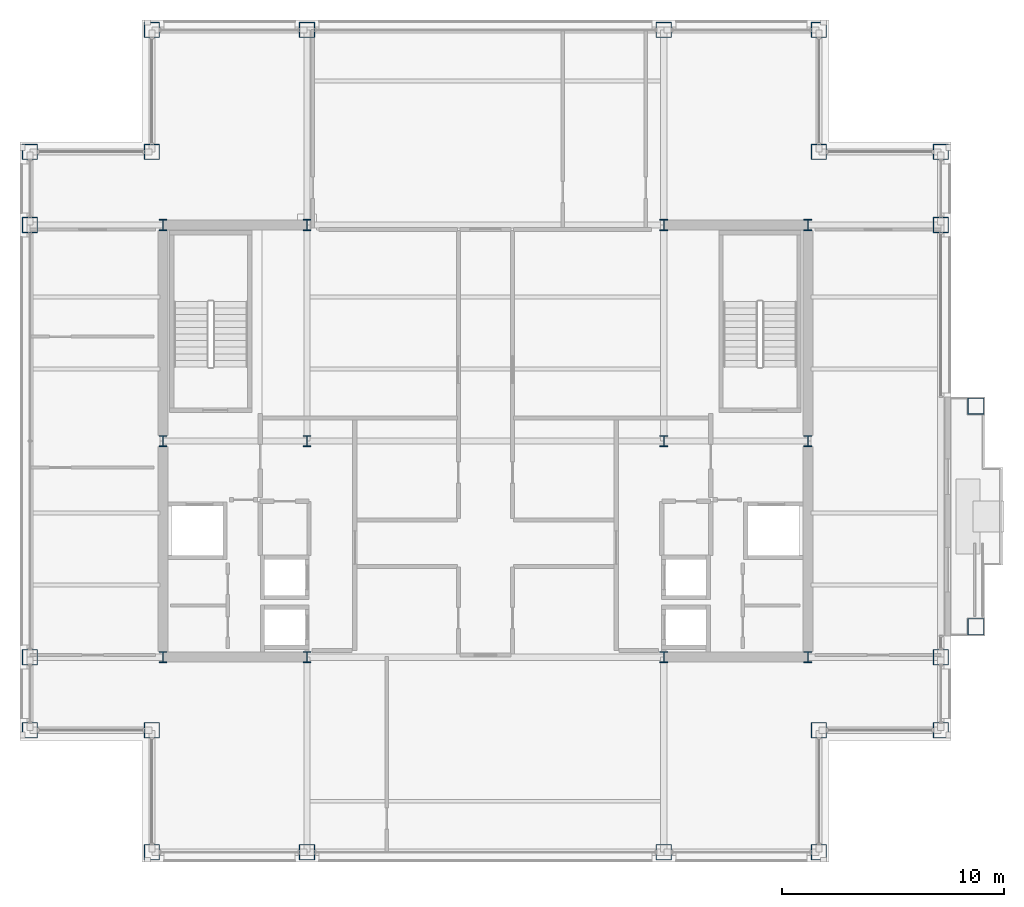
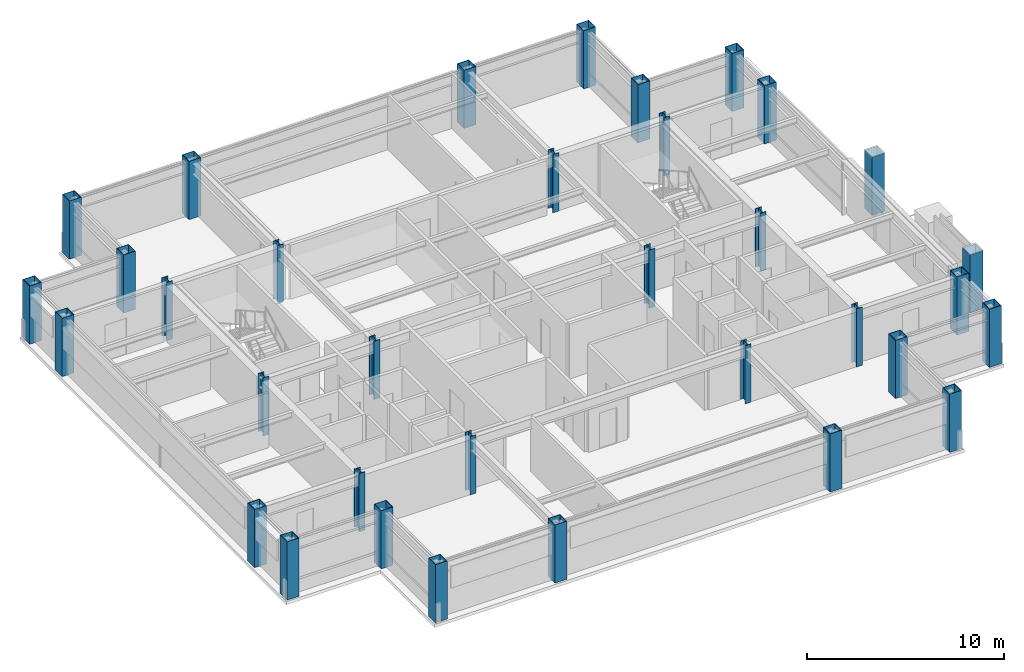
# One storey, part 1 of 28: 34 columns.
"""IFC4 building model written with IfcOpenShell, lengths in metres."""

from ifc_helpers import new_model, si_unit, direction, frame, origin, origin_2d, place, context, subcontext, project, spatial, hollow_rectangle, i_section, extrude, material, material_profile, profile_set, type_object, element, save


model = new_model("IFC4")

# Units and contexts
model_context = context("Model", 3, precision=1e-05, world=origin(), true_north=direction((0.0, 1.0)))
body_context = subcontext(model_context, "Body", "Model", "MODEL_VIEW")
ifc_project = project(units=[si_unit("LENGTHUNIT", "METRE"), si_unit("AREAUNIT", "SQUARE_METRE"), si_unit("VOLUMEUNIT", "CUBIC_METRE"), si_unit("PLANEANGLEUNIT", "RADIAN"), si_unit("MASSUNIT", "GRAM", prefix="KILO")], contexts=[model_context])

# Site, building, storey
site_placement = place(None, origin())
site = spatial("IfcSite", under=ifc_project, at=site_placement, CompositionType="ELEMENT")
building_placement = place(site_placement, origin())
building = spatial("IfcBuilding", under=site, at=building_placement, Name="Brelmoor Portico Tower", CompositionType="ELEMENT")
storey_placement = place(building_placement, frame((0.0, 0.0, 191.10009765625)))
storey = spatial("IfcBuildingStorey", under=building, at=storey_placement, Name="L50", CompositionType="ELEMENT", Elevation=191.10009765625)

# Columns
ifc_material = material(Name="Steel Q355B", Category="steel")
ifc_material_profile_1 = material_profile(ifc_material, hollow_rectangle(XDim=0.699951171875, YDim=0.699951171875, WallThickness=0.030029296875, at=origin_2d()), Name="BOX 700x700x30")
ifc_profile_set_1 = profile_set([ifc_material_profile_1], Name="Steel Q355B")
column_type_1 = type_object("IfcColumnType", Name="COL-MEGA-700", PredefinedType="COLUMN", material=ifc_profile_set_1)
for number, where, z_axis, x_axis, name in (
    (1, (-15.050048828125, -18.550048828125, 0.0), (0.0, 0.0, 1.0), (1.0, 0.0, 0.0), "L50 Perimeter Mega-Column PS01"),
    (2, (-8.050048828125, -18.550048828125, 0.0), (0.0, 0.0, 1.0), (1.0, 0.0, 0.0), "L50 Perimeter Mega-Column PS02"),
    (3, (8.050048828125, -18.550048828125, 0.0), (0.0, 0.0, 1.0), (1.0, 0.0, 0.0), "L50 Perimeter Mega-Column PS03"),
    (4, (15.050048828125, -18.550048828125, 0.0), (0.0, 0.0, 1.0), (1.0, 0.0, 0.0), "L50 Perimeter Mega-Column PS04"),
    (5, (-15.050048828125, 18.550048828125, 0.0), (0.0, 0.0, 1.0), (1.0, 0.0, 0.0), "L50 Perimeter Mega-Column PN01"),
    (6, (-8.050048828125, 18.550048828125, 0.0), (0.0, 0.0, 1.0), (1.0, 0.0, 0.0), "L50 Perimeter Mega-Column PN02"),
    (7, (8.050048828125, 18.550048828125, 0.0), (0.0, 0.0, 1.0), (1.0, 0.0, 0.0), "L50 Perimeter Mega-Column PN03"),
    (8, (15.050048828125, 18.550048828125, 0.0), (0.0, 0.0, 1.0), (1.0, 0.0, 0.0), "L50 Perimeter Mega-Column PN04"),
    (9, (-20.550048828125, -13.050048828125, 0.0), (0.0, 0.0, 1.0), (0.0, 1.0, 0.0), "L50 Perimeter Mega-Column PW01"),
    (10, (-20.550048828125, -9.75, 0.0), (0.0, 0.0, 1.0), (0.0, 1.0, 0.0), "L50 Perimeter Mega-Column PW02"),
    (11, (-20.550048828125, 9.75, 0.0), (0.0, 0.0, 1.0), (0.0, 1.0, 0.0), "L50 Perimeter Mega-Column PW03"),
    (12, (-20.550048828125, 13.050048828125, 0.0), (0.0, 0.0, 1.0), (0.0, 1.0, 0.0), "L50 Perimeter Mega-Column PW04"),
    (13, (20.550048828125, -13.050048828125, 0.0), (0.0, 0.0, 1.0), (0.0, 1.0, 0.0), "L50 Perimeter Mega-Column PE01"),
    (14, (20.550048828125, -9.75, 0.0), (0.0, 0.0, 1.0), (0.0, 1.0, 0.0), "L50 Perimeter Mega-Column PE02"),
    (15, (20.550048828125, 9.75, 0.0), (0.0, 0.0, 1.0), (0.0, 1.0, 0.0), "L50 Perimeter Mega-Column PE03"),
    (16, (20.550048828125, 13.050048828125, 0.0), (0.0, 0.0, 1.0), (0.0, 1.0, 0.0), "L50 Perimeter Mega-Column PE04"),
    (17, (-15.050048828125, 13.050048828125, 0.0), (0.0, 0.0, 1.0), (1.0, 0.0, 0.0), "L50 Perimeter Mega-Column PC-NW"),
    (18, (15.050048828125, 13.050048828125, 0.0), (0.0, 0.0, 1.0), (1.0, 0.0, 0.0), "L50 Perimeter Mega-Column PC-NE"),
    (19, (15.050048828125, -13.050048828125, 0.0), (0.0, 0.0, 1.0), (1.0, 0.0, 0.0), "L50 Perimeter Mega-Column PC-SE"),
    (20, (-15.050048828125, -13.050048828125, 0.0), (0.0, 0.0, 1.0), (1.0, 0.0, 0.0), "L50 Perimeter Mega-Column PC-SW"),
):
    element("IfcColumn", number, at=place(storey_placement, frame(where, z_axis=z_axis, x_axis=x_axis)), inside=storey, type_object=column_type_1, Name=name, PredefinedType="COLUMN", context=body_context, shape_type="SweptSolid", body=[
        extrude(hollow_rectangle(XDim=0.699951171875, YDim=0.699951171875, WallThickness=0.030029296875, at=origin_2d()), origin(), (0.0, 0.0, 1.0), 3.599853515625),
    ])
ifc_material_profile_2 = material_profile(ifc_material, hollow_rectangle(XDim=0.75, YDim=0.75, WallThickness=0.031982421875, at=origin_2d()), Name="BOX 750x750x32")
ifc_profile_set_2 = profile_set([ifc_material_profile_2], Name="Steel Q355B")
column_type_2 = type_object("IfcColumnType", Name="COL-MEGA-750", PredefinedType="COLUMN", material=ifc_profile_set_2)
for number, where, z_axis, x_axis, name in (
    (21, (22.1298828125, -8.3798828125, 0.0), (0.0, 0.0, 1.0), (0.0, 1.0, 0.0), "L50 Proud Picture-Frame Pier PFJ-E1"),
    (22, (22.1298828125, 1.580078125, 0.0), (0.0, 0.0, 1.0), (0.0, 1.0, 0.0), "L50 Proud Picture-Frame Pier PFJ-E2"),
):
    element("IfcColumn", number, at=place(storey_placement, frame(where, z_axis=z_axis, x_axis=x_axis)), inside=storey, type_object=column_type_2, Name=name, PredefinedType="COLUMN", context=body_context, shape_type="SweptSolid", body=[
        extrude(hollow_rectangle(XDim=0.75, YDim=0.75, WallThickness=0.031982421875, at=origin_2d()), origin(), (0.0, 0.0, 1.0), 3.599853515625),
    ])
ifc_material_profile_3 = material_profile(ifc_material, i_section(OverallWidth=0.35009765625, OverallDepth=0.5, WebThickness=0.02001953125, FlangeThickness=0.031982421875, at=origin_2d()), Name="HW 500x350x20x32")
ifc_profile_set_3 = profile_set([ifc_material_profile_3], Name="Steel Q355B")
column_type_3 = type_object("IfcColumnType", Name="COL-SPINE-500", PredefinedType="COLUMN", material=ifc_profile_set_3)
for number, where, z_axis, x_axis, name in (
    (23, (-14.550048828125, -9.75, 0.0), (0.0, 0.0, 1.0), (1.0, 0.0, 0.0), "L50 Core Spine Column CW-SW"),
    (24, (-14.550048828125, 0.0, 0.0), (0.0, 0.0, 1.0), (1.0, 0.0, 0.0), "L50 Core Spine Column CW-MW"),
    (25, (-14.550048828125, 9.75, 0.0), (0.0, 0.0, 1.0), (1.0, 0.0, 0.0), "L50 Core Spine Column CW-NW"),
    (26, (-8.050048828125, -9.75, 0.0), (0.0, 0.0, 1.0), (1.0, 0.0, 0.0), "L50 Core Spine Column CW-SE"),
    (27, (-8.050048828125, 0.0, 0.0), (0.0, 0.0, 1.0), (1.0, 0.0, 0.0), "L50 Core Spine Column CW-ME"),
    (28, (-8.050048828125, 9.75, 0.0), (0.0, 0.0, 1.0), (1.0, 0.0, 0.0), "L50 Core Spine Column CW-NE"),
    (29, (8.050048828125, -9.75, 0.0), (0.0, 0.0, 1.0), (1.0, 0.0, 0.0), "L50 Core Spine Column CE-SW"),
    (30, (8.050048828125, 0.0, 0.0), (0.0, 0.0, 1.0), (1.0, 0.0, 0.0), "L50 Core Spine Column CE-MW"),
    (31, (8.050048828125, 9.75, 0.0), (0.0, 0.0, 1.0), (1.0, 0.0, 0.0), "L50 Core Spine Column CE-NW"),
    (32, (14.550048828125, -9.75, 0.0), (0.0, 0.0, 1.0), (1.0, 0.0, 0.0), "L50 Core Spine Column CE-SE"),
    (33, (14.550048828125, 0.0, 0.0), (0.0, 0.0, 1.0), (1.0, 0.0, 0.0), "L50 Core Spine Column CE-ME"),
    (34, (14.550048828125, 9.75, 0.0), (0.0, 0.0, 1.0), (1.0, 0.0, 0.0), "L50 Core Spine Column CE-NE"),
):
    element("IfcColumn", number, at=place(storey_placement, frame(where, z_axis=z_axis, x_axis=x_axis)), inside=storey, type_object=column_type_3, Name=name, PredefinedType="COLUMN", context=body_context, shape_type="SweptSolid", body=[
        extrude(i_section(OverallWidth=0.35009765625, OverallDepth=0.5, WebThickness=0.02001953125, FlangeThickness=0.031982421875, at=origin_2d()), origin(), (0.0, 0.0, 1.0), 3.599853515625),
    ])

save(model, "model.ifc")
